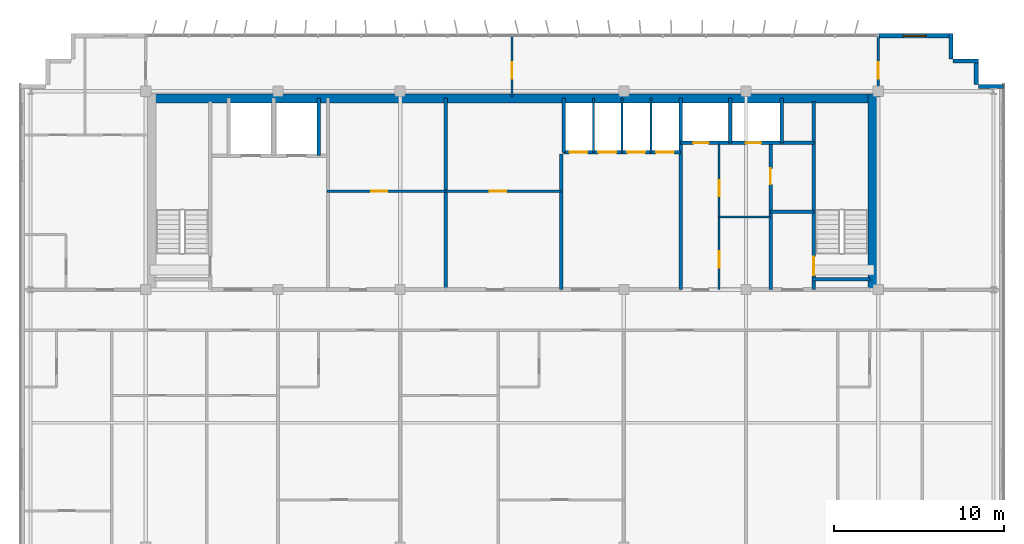
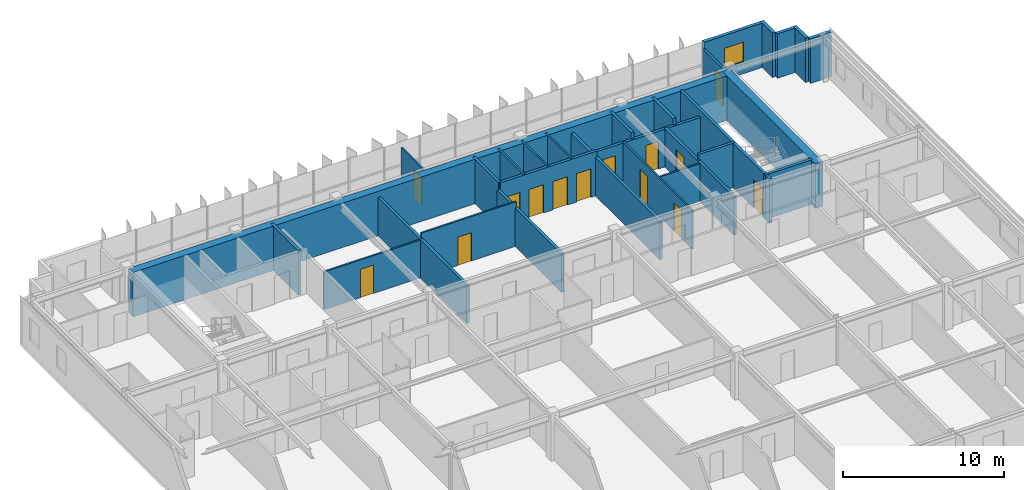
# One storey, part 20 of 23: 29 walls, 14 doors, 1 window, 15 openings.
"""IFC4 building model written with IfcOpenShell, lengths in metres."""

from ifc_helpers import new_model, si_unit, direction, frame, frame_2d, origin, place, context, subcontext, project, spatial, rectangle, extrude, source, transform, mapped, material, layer, layer_set, type_object, element, fill, save


model = new_model("IFC4")

# Units and contexts
model_context = context("Model", 3, precision=1e-05, world=origin(), true_north=direction((0.0, 1.0)))
body_context = subcontext(model_context, "Body", "Model", "MODEL_VIEW")
ifc_project = project(units=[si_unit("LENGTHUNIT", "METRE"), si_unit("AREAUNIT", "SQUARE_METRE"), si_unit("VOLUMEUNIT", "CUBIC_METRE"), si_unit("PLANEANGLEUNIT", "RADIAN"), si_unit("MASSUNIT", "GRAM", prefix="KILO")], contexts=[model_context])

# Site, building, storey
site_placement = place(None, origin())
site = spatial("IfcSite", under=ifc_project, at=site_placement, CompositionType="ELEMENT")
building_placement = place(site_placement, origin())
building = spatial("IfcBuilding", under=site, at=building_placement, Name="Trelvane Seafront Commons", CompositionType="ELEMENT")
storey_placement = place(building_placement, frame((0.0, 0.0, 266.699951171875)))
storey = spatial("IfcBuildingStorey", under=building, at=storey_placement, Name="L69", CompositionType="ELEMENT", Elevation=266.699951171875)

# Wall, opening, window
ifc_material_1 = material(Name="Precast concrete C40/50", Category="concrete")
ifc_layer_1 = layer(ifc_material_1, 0.239990234375, Name="ARCH-WALL-EXT240")
ifc_layer_set_1 = layer_set([ifc_layer_1], Name="Precast concrete C40/50")
wall_type_1 = type_object("IfcWallType", Name="ARCH-WALL-EXT240", PredefinedType="SOLIDWALL", material=ifc_layer_set_1)
wall_1_placement = place(storey_placement, frame((58.800048828125, 48.3701171875, 0.0), z_axis=(0.0, 0.0, 1.0), x_axis=(1.0, 0.0, 0.0)))
wall_1 = element("IfcWall", 1, at=wall_1_placement, inside=storey, type_object=wall_type_1, Name="EW-L69-NE-1383", PredefinedType="SOLIDWALL", context=body_context, shape_type="SweptSolid", body=[
    extrude(rectangle(XDim=4.300048828125, YDim=0.239990234375, at=frame_2d((2.14990234375, 0.0))), origin(), (0.0, 0.0, 1.0), 3.3701171875),
])
opening_1_placement = place(wall_1_placement, frame((1.47509765625, 0.0, 0.89990234375)))
opening_1 = element("IfcOpeningElement", 2, at=opening_1_placement, cuts=wall_1, Name="Opening W09", PredefinedType="OPENING", context=body_context, shape_type="SweptSolid", body=[
    extrude(rectangle(XDim=1.35009765625, YDim=1.5, at=frame_2d((0.675048828125, 0.75))), frame((0.0, 0.1298828125, 0.0), z_axis=(0.0, -1.0, 0.0), x_axis=(1.0, 0.0, 0.0)), (0.0, 0.0, 1.0), 0.260009765625),
])
ifc_material_2 = material(Name="Low-E coastal double glazing", Category="glass")
window_type = type_object("IfcWindowType", Name="ARCH-WIN-W09", PartitioningType="SINGLE_PANEL", PredefinedType="WINDOW", material=ifc_material_2)
shared_shape_1 = source(origin(), body_context, "Body", "SweptSolid", [
    extrude(rectangle(XDim=1.35009765625, YDim=1.5, at=frame_2d((0.675048828125, 0.75))), frame((0.0, 0.030029296875, 0.0), z_axis=(0.0, -1.0, 0.0), x_axis=(1.0, 0.0, 0.0)), (0.0, 0.0, 1.0), 0.06005859375),
])
window_placement = place(opening_1_placement, origin())
window = element("IfcWindow", 3, at=window_placement, inside=storey, type_object=window_type, Name="WIN-L69-01647", OverallHeight=1.5, OverallWidth=1.35009765625, PartitioningType="SINGLE_PANEL", PredefinedType="WINDOW", context=body_context, shape_type="MappedRepresentation", body=[
    mapped(shared_shape_1, transform((0.0, 0.0, 0.0), x_axis=(1.0, 0.0, 0.0), y_axis=(0.0, 1.0, 0.0), z_axis=(0.0, 0.0, 1.0), scale=1.0)),
])
fill(opening_1, window)

# Walls
for number, where, z_axis, x_axis, name in (
    (4, (63.080078125, 48.5, 0.0), (0.0, 0.0, 1.0), (0.0, -1.0, 0.0), "EW-L69-01392"),
    (5, (63.199951171875, 46.8798828125, 0.0), (0.0, 0.0, 1.0), (1.0, 0.0, 0.0), "EW-L69-01393"),
    (6, (64.580078125, 47.0, 0.0), (0.0, 0.0, 1.0), (0.0, -1.0, 0.0), "EW-L69-01394"),
    (7, (64.699951171875, 45.3798828125, 0.0), (0.0, 0.0, 1.0), (1.0, 0.0, 0.0), "EW-L69-01395"),
):
    element("IfcWall", number, at=place(storey_placement, frame(where, z_axis=z_axis, x_axis=x_axis)), inside=storey, type_object=wall_type_1, Name=name, PredefinedType="SOLIDWALL", context=body_context, shape_type="SweptSolid", body=[
        extrude(rectangle(XDim=1.5, YDim=0.239990234375, at=frame_2d((0.75, 0.0))), origin(), (0.0, 0.0, 1.0), 3.3701171875),
    ])

# Wall, opening, door
ifc_material_3 = material(Name="Concrete C40/50", Category="concrete")
ifc_layer_2 = layer(ifc_material_3, 0.199951171875, Name="ARCH-WALL-FIRE200")
ifc_layer_set_2 = layer_set([ifc_layer_2], Name="Concrete C40/50")
wall_type_2 = type_object("IfcWallType", Name="ARCH-WALL-FIRE200", PredefinedType="PARTITIONING", material=ifc_layer_set_2)
wall_2_placement = place(storey_placement, frame((52.449951171875, 33.39990234375, 0.0), z_axis=(0.0, 0.0, 1.0), x_axis=(0.0, 1.0, 0.0)))
wall_2 = element("IfcWall", 8, at=wall_2_placement, inside=storey, type_object=wall_type_2, Name="W-L69-ST2V-W-030", PredefinedType="PARTITIONING", context=body_context, shape_type="SweptSolid", body=[
    extrude(rectangle(XDim=8.650146484375, YDim=0.199951171875, at=frame_2d((4.3251953125, 0.0))), origin(), (0.0, 0.0, 1.0), 2.920166015625),
])
opening_2_placement = place(wall_2_placement, frame((6.199951171875, 0.0, 0.0)))
opening_2 = element("IfcOpeningElement", 9, at=opening_2_placement, cuts=wall_2, Name="Opening FD-L69-17", PredefinedType="OPENING", context=body_context, shape_type="SweptSolid", body=[
    extrude(rectangle(XDim=0.949951171875, YDim=2.14990234375, at=frame_2d((0.47509765625, 1.074951171875))), frame((0.0, 0.10986328125, 0.0), z_axis=(0.0, -1.0, 0.0), x_axis=(1.0, 0.0, 0.0)), (0.0, 0.0, 1.0), 0.219970703125),
])
ifc_material_4 = material(Name="Powder-coated aluminium frame", Category="aluminium")
door_type_1 = type_object("IfcDoorType", Name="ARCH-DR-FD60-950", OperationType="NOTDEFINED", PredefinedType="DOOR", material=ifc_material_4)
shared_shape_2 = source(origin(), body_context, "Body", "SweptSolid", [
    extrude(rectangle(XDim=0.949951171875, YDim=2.14990234375, at=frame_2d((0.47509765625, 1.074951171875))), frame((0.0, 0.02490234375, 0.0), z_axis=(0.0, -1.0, 0.0), x_axis=(1.0, 0.0, 0.0)), (0.0, 0.0, 1.0), 0.050048828125),
])
door_1_placement = place(opening_2_placement, origin())
door_1 = element("IfcDoor", 10, at=door_1_placement, inside=storey, type_object=door_type_1, Name="L69 Cleaner Store Door", OperationType="SINGLE_SWING_LEFT", OverallHeight=2.14990234375, OverallWidth=0.949951171875, PredefinedType="DOOR", context=body_context, shape_type="MappedRepresentation", body=[
    mapped(shared_shape_2, transform((0.0, 0.0, 0.0), x_axis=(1.0, 0.0, 0.0), y_axis=(0.0, 1.0, 0.0), z_axis=(0.0, 0.0, 1.0), scale=1.0)),
])
fill(opening_2, door_1)

# Wall
wall_3_placement = place(storey_placement, frame((52.449951171875, 38.0, 0.0), z_axis=(0.0, 0.0, 1.0), x_axis=(1.0, 0.0, 0.0)))
element("IfcWall", 11, at=wall_3_placement, inside=storey, type_object=wall_type_2, Name="W-L69-ST2V-N-031", PredefinedType="PARTITIONING", context=body_context, shape_type="SweptSolid", body=[
    extrude(rectangle(XDim=2.550048828125, YDim=0.199951171875, at=frame_2d((1.27490234375, 0.0))), origin(), (0.0, 0.0, 1.0), 3.3701171875),
])

# Wall, opening, door
ifc_material_5 = material(Name="Gypsum Drywall Acoustic Partition")
ifc_layer_3 = layer(ifc_material_5, 0.1201171875, Name="ARCH-WALL-PART120")
ifc_layer_set_3 = layer_set([ifc_layer_3], Name="Gypsum Drywall Acoustic Partition")
wall_type_3 = type_object("IfcWallType", Name="ARCH-WALL-PART120", PredefinedType="PARTITIONING", material=ifc_layer_set_3)
wall_4_placement = place(storey_placement, frame((26.300048828125, 39.199951171875, 0.0), z_axis=(0.0, 0.0, 1.0), x_axis=(1.0, 0.0, 0.0)))
wall_4 = element("IfcWall", 12, at=wall_4_placement, inside=storey, type_object=wall_type_3, Name="W-L69-FREED-PL-MID-014", PredefinedType="PARTITIONING", context=body_context, shape_type="SweptSolid", body=[
    extrude(rectangle(XDim=7.0, YDim=0.1201171875, at=frame_2d((3.5, 0.0))), origin(), (0.0, 0.0, 1.0), 2.8701171875),
])
opening_3_placement = place(wall_4_placement, frame((2.60009765625, 0.0, 0.0)))
opening_3 = element("IfcOpeningElement", 13, at=opening_3_placement, cuts=wall_4, Name="Opening D-L69-06", PredefinedType="OPENING", context=body_context, shape_type="SweptSolid", body=[
    extrude(rectangle(XDim=0.949951171875, YDim=2.14990234375, at=frame_2d((0.47509765625, 1.074951171875))), frame((0.0, 0.070068359375, 0.0), z_axis=(0.0, -1.0, 0.0), x_axis=(1.0, 0.0, 0.0)), (0.0, 0.0, 1.0), 0.14013671875),
])
ifc_material_6 = material(Name="Acoustic timber door leaf", Category="wood")
door_type_2 = type_object("IfcDoorType", Name="ARCH-DR-INT950", OperationType="NOTDEFINED", PredefinedType="DOOR", material=ifc_material_6)
door_2_placement = place(opening_3_placement, origin())
door_2 = element("IfcDoor", 14, at=door_2_placement, inside=storey, type_object=door_type_2, Name="L69 Housekeeping Store Door", OperationType="SINGLE_SWING_RIGHT", OverallHeight=2.14990234375, OverallWidth=0.949951171875, PredefinedType="DOOR", context=body_context, shape_type="MappedRepresentation", body=[
    mapped(shared_shape_2, transform((0.0, 0.0, 0.0), x_axis=(1.0, 0.0, 0.0), y_axis=(0.0, 1.0, 0.0), z_axis=(0.0, 0.0, 1.0), scale=1.0)),
])
fill(opening_3, door_2)

wall_5_placement = place(storey_placement, frame((33.300048828125, 39.199951171875, 0.0), z_axis=(0.0, 0.0, 1.0), x_axis=(1.0, 0.0, 0.0)))
wall_5 = element("IfcWall", 15, at=wall_5_placement, inside=storey, type_object=wall_type_3, Name="W-L69-FREED-PM-MID-016", PredefinedType="PARTITIONING", context=body_context, shape_type="SweptSolid", body=[
    extrude(rectangle(XDim=6.800048828125, YDim=0.1201171875, at=frame_2d((3.39990234375, 0.0))), origin(), (0.0, 0.0, 1.0), 3.3701171875),
])
opening_4_placement = place(wall_5_placement, frame((2.60009765625, 0.0, 0.0)))
opening_4 = element("IfcOpeningElement", 16, at=opening_4_placement, cuts=wall_5, Name="Opening D-L69-07", PredefinedType="OPENING", context=body_context, shape_type="SweptSolid", body=[
    extrude(rectangle(XDim=0.949951171875, YDim=2.14990234375, at=frame_2d((0.47509765625, 1.074951171875))), frame((0.0, 0.070068359375, 0.0), z_axis=(0.0, -1.0, 0.0), x_axis=(1.0, 0.0, 0.0)), (0.0, 0.0, 1.0), 0.14013671875),
])
door_3_placement = place(opening_4_placement, origin())
door_3 = element("IfcDoor", 17, at=door_3_placement, inside=storey, type_object=door_type_2, Name="L69 IT Comms Room Door", OperationType="SINGLE_SWING_LEFT", OverallHeight=2.14990234375, OverallWidth=0.949951171875, PredefinedType="DOOR", context=body_context, shape_type="MappedRepresentation", body=[
    mapped(shared_shape_2, transform((0.0, 0.0, 0.0), x_axis=(1.0, 0.0, 0.0), y_axis=(0.0, 1.0, 0.0), z_axis=(0.0, 0.0, 1.0), scale=1.0)),
])
fill(opening_4, door_3)

# Walls
for number, where, z_axis, x_axis, name in (
    (18, (42.0, 41.5, 0.0), (0.0, 0.0, 1.0), (0.0, 1.0, 0.0), "W-L69-PH-DIV1-020"),
    (19, (43.699951171875, 41.5, 0.0), (0.0, 0.0, 1.0), (0.0, 1.0, 0.0), "W-L69-PH-DIV2-021"),
    (20, (45.39990234375, 41.5, 0.0), (0.0, 0.0, 1.0), (0.0, 1.0, 0.0), "W-L69-PH-DIV3-022"),
):
    element("IfcWall", number, at=place(storey_placement, frame(where, z_axis=z_axis, x_axis=x_axis)), inside=storey, type_object=wall_type_3, Name=name, PredefinedType="PARTITIONING", context=body_context, shape_type="SweptSolid", body=[
        extrude(rectangle(XDim=3.199951171875, YDim=0.1201171875, at=frame_2d((1.60009765625, 0.0))), origin(), (0.0, 0.0, 1.0), 3.3701171875),
    ])

# Wall, openings, doors
wall_6_placement = place(storey_placement, frame((49.419921875, 33.39990234375, 0.0), z_axis=(0.0, 0.0, 1.0), x_axis=(0.0, 1.0, 0.0)))
wall_6 = element("IfcWall", 21, at=wall_6_placement, inside=storey, type_object=wall_type_3, Name="W-L69-CYC0-V-032", PredefinedType="PARTITIONING", context=body_context, shape_type="SweptSolid", body=[
    extrude(rectangle(XDim=8.60009765625, YDim=0.1201171875, at=frame_2d((4.300048828125, 0.0))), origin(), (0.0, 0.0, 1.0), 2.920166015625),
])
opening_5_placement = place(wall_6_placement, frame((1.300048828125, 0.0, 0.0)))
opening_5 = element("IfcOpeningElement", 22, at=opening_5_placement, cuts=wall_6, Name="Opening D-L69-18", PredefinedType="OPENING", context=body_context, shape_type="SweptSolid", body=[
    extrude(rectangle(XDim=0.949951171875, YDim=2.14990234375, at=frame_2d((0.47509765625, 1.074951171875))), frame((0.0, 0.070068359375, 0.0), z_axis=(0.0, -1.0, 0.0), x_axis=(1.0, 0.0, 0.0)), (0.0, 0.0, 1.0), 0.14013671875),
])
opening_6_placement = place(wall_6_placement, frame((5.5, 0.0, 0.0)))
opening_6 = element("IfcOpeningElement", 23, at=opening_6_placement, cuts=wall_6, Name="Opening D-L69-19", PredefinedType="OPENING", context=body_context, shape_type="SweptSolid", body=[
    extrude(rectangle(XDim=0.949951171875, YDim=2.14990234375, at=frame_2d((0.47509765625, 1.074951171875))), frame((0.0, 0.070068359375, 0.0), z_axis=(0.0, -1.0, 0.0), x_axis=(1.0, 0.0, 0.0)), (0.0, 0.0, 1.0), 0.14013671875),
])
door_4_placement = place(opening_5_placement, origin())
door_4 = element("IfcDoor", 24, at=door_4_placement, inside=storey, type_object=door_type_2, Name="L69 Accessible WC Door", OperationType="SINGLE_SWING_RIGHT", OverallHeight=2.14990234375, OverallWidth=0.949951171875, PredefinedType="DOOR", context=body_context, shape_type="MappedRepresentation", body=[
    mapped(shared_shape_2, transform((0.0, 0.0, 0.0), x_axis=(1.0, 0.0, 0.0), y_axis=(0.0, 1.0, 0.0), z_axis=(0.0, 0.0, 1.0), scale=1.0)),
])
fill(opening_5, door_4)
door_5_placement = place(opening_6_placement, origin())
door_5 = element("IfcDoor", 25, at=door_5_placement, inside=storey, type_object=door_type_2, Name="L69 Common WC Door", OperationType="SINGLE_SWING_LEFT", OverallHeight=2.14990234375, OverallWidth=0.949951171875, PredefinedType="DOOR", context=body_context, shape_type="MappedRepresentation", body=[
    mapped(shared_shape_2, transform((0.0, 0.0, 0.0), x_axis=(1.0, 0.0, 0.0), y_axis=(0.0, 1.0, 0.0), z_axis=(0.0, 0.0, 1.0), scale=1.0)),
])
fill(opening_6, door_5)

# Wall
wall_7_placement = place(storey_placement, frame((49.419921875, 37.679931640625, 0.0), z_axis=(0.0, 0.0, 1.0), x_axis=(1.0, 0.0, 0.0)))
element("IfcWall", 26, at=wall_7_placement, inside=storey, type_object=wall_type_3, Name="W-L69-CYC0-H-033", PredefinedType="PARTITIONING", context=body_context, shape_type="SweptSolid", body=[
    extrude(rectangle(XDim=3.030029296875, YDim=0.1201171875, at=frame_2d((1.51513671875, 0.0))), origin(), (0.0, 0.0, 1.0), 2.8701171875),
])

# Wall, opening, door
wall_8_placement = place(storey_placement, frame((37.199951171875, 44.75, 0.0), z_axis=(0.0, 0.0, 1.0), x_axis=(0.0, 1.0, 0.0)))
wall_8 = element("IfcWall", 27, at=wall_8_placement, inside=storey, type_object=wall_type_3, Name="W-L69-N-MID-DV-042", PredefinedType="PARTITIONING", context=body_context, shape_type="SweptSolid", body=[
    extrude(rectangle(XDim=3.610107421875, YDim=0.1201171875, at=frame_2d((1.80517578125, 0.0))), origin(), (0.0, 0.0, 1.0), 2.920166015625),
])
opening_7_placement = place(wall_8_placement, frame((1.10009765625, 0.0, 0.0)))
opening_7 = element("IfcOpeningElement", 28, at=opening_7_placement, cuts=wall_8, Name="Opening D-L69-27", PredefinedType="OPENING", context=body_context, shape_type="SweptSolid", body=[
    extrude(rectangle(XDim=0.949951171875, YDim=2.14990234375, at=frame_2d((0.47509765625, 1.074951171875))), frame((0.0, 0.070068359375, 0.0), z_axis=(0.0, -1.0, 0.0), x_axis=(1.0, 0.0, 0.0)), (0.0, 0.0, 1.0), 0.14013671875),
])
door_6_placement = place(opening_7_placement, origin())
door_6 = element("IfcDoor", 29, at=door_6_placement, inside=storey, type_object=door_type_2, Name="L69 Door 27", OperationType="SINGLE_SWING_LEFT", OverallHeight=2.14990234375, OverallWidth=0.949951171875, PredefinedType="DOOR", context=body_context, shape_type="MappedRepresentation", body=[
    mapped(shared_shape_2, transform((0.0, 0.0, 0.0), x_axis=(1.0, 0.0, 0.0), y_axis=(0.0, 1.0, 0.0), z_axis=(0.0, 0.0, 1.0), scale=1.0)),
])
fill(opening_7, door_6)

ifc_layer_4 = layer(ifc_material_5, 0.14990234375, Name="ARCH-WALL-PART150")
ifc_layer_set_4 = layer_set([ifc_layer_4], Name="Gypsum Drywall Acoustic Partition")
wall_type_4 = type_object("IfcWallType", Name="ARCH-WALL-PART150", PredefinedType="PARTITIONING", material=ifc_layer_set_4)
wall_9_placement = place(storey_placement, frame((58.800048828125, 44.75, 0.0), z_axis=(0.0, 0.0, 1.0), x_axis=(0.0, 1.0, 0.0)))
wall_9 = element("IfcWall", 30, at=wall_9_placement, inside=storey, type_object=wall_type_4, Name="W-L69-N-LINK-E-044", PredefinedType="PARTITIONING", context=body_context, shape_type="SweptSolid", body=[
    extrude(rectangle(XDim=3.610107421875, YDim=0.14990234375, at=frame_2d((1.80517578125, 0.0))), origin(), (0.0, 0.0, 1.0), 2.8701171875),
])
opening_8_placement = place(wall_9_placement, frame((1.10009765625, 0.0, 0.0)))
opening_8 = element("IfcOpeningElement", 31, at=opening_8_placement, cuts=wall_9, Name="Opening FD-L69-29", PredefinedType="OPENING", context=body_context, shape_type="SweptSolid", body=[
    extrude(rectangle(XDim=0.949951171875, YDim=2.14990234375, at=frame_2d((0.47509765625, 1.074951171875))), frame((0.0, 0.0849609375, 0.0), z_axis=(0.0, -1.0, 0.0), x_axis=(1.0, 0.0, 0.0)), (0.0, 0.0, 1.0), 0.169921875),
])
door_7_placement = place(opening_8_placement, origin())
door_7 = element("IfcDoor", 32, at=door_7_placement, inside=storey, type_object=door_type_1, Name="L69 Door 29", OperationType="SINGLE_SWING_LEFT", OverallHeight=2.14990234375, OverallWidth=0.949951171875, PredefinedType="DOOR", context=body_context, shape_type="MappedRepresentation", body=[
    mapped(shared_shape_2, transform((0.0, 0.0, 0.0), x_axis=(1.0, 0.0, 0.0), y_axis=(0.0, 1.0, 0.0), z_axis=(0.0, 0.0, 1.0), scale=1.0)),
])
fill(opening_8, door_7)

# Walls
ifc_layer_5 = layer(ifc_material_3, 0.199951171875, Name="ARCH-WALL-SHAFT200")
ifc_layer_set_5 = layer_set([ifc_layer_5], Name="Concrete C40/50")
wall_type_5 = type_object("IfcWallType", Name="ARCH-WALL-SHAFT200", PredefinedType="SOLIDWALL", material=ifc_layer_set_5)
wall_10_placement = place(storey_placement, frame((25.800048828125, 41.300048828125, 0.0), z_axis=(0.0, 0.0, 1.0), x_axis=(0.0, 1.0, 0.0)))
element("IfcWall", 33, at=wall_10_placement, inside=storey, type_object=wall_type_5, Name="W-L69-FFL-SH-E-011", PredefinedType="SOLIDWALL", context=body_context, shape_type="SweptSolid", body=[
    extrude(rectangle(XDim=3.39990234375, YDim=0.199951171875, at=frame_2d((1.699951171875, 0.0))), origin(), (0.0, 0.0, 1.0), 3.3701171875),
])
wall_11_placement = place(storey_placement, frame((33.300048828125, 33.39990234375, 0.0), z_axis=(0.0, 0.0, 1.0), x_axis=(0.0, 1.0, 0.0)))
element("IfcWall", 34, at=wall_11_placement, inside=storey, type_object=wall_type_5, Name="W-L69-FREED-PL-E-015", PredefinedType="SOLIDWALL", context=body_context, shape_type="SweptSolid", body=[
    extrude(rectangle(XDim=11.300048828125, YDim=0.199951171875, at=frame_2d((5.64990234375, 0.0))), origin(), (0.0, 0.0, 1.0), 2.920166015625),
])
wall_12_placement = place(storey_placement, frame((40.10009765625, 33.39990234375, 0.0), z_axis=(0.0, 0.0, 1.0), x_axis=(0.0, 1.0, 0.0)))
element("IfcWall", 35, at=wall_12_placement, inside=storey, type_object=wall_type_5, Name="W-L69-FREED-PM-E-017", PredefinedType="SOLIDWALL", context=body_context, shape_type="SweptSolid", body=[
    extrude(rectangle(XDim=8.0, YDim=0.199951171875, at=frame_2d((4.0, 0.0))), origin(), (0.0, 0.0, 1.0), 2.920166015625),
])

# Wall, openings, doors
wall_13_placement = place(storey_placement, frame((40.25, 41.5, 0.0), z_axis=(0.0, 0.0, 1.0), x_axis=(1.0, 0.0, 0.0)))
wall_13 = element("IfcWall", 36, at=wall_13_placement, inside=storey, type_object=wall_type_5, Name="W-L69-PH-FRONT-018", PredefinedType="SOLIDWALL", context=body_context, shape_type="SweptSolid", body=[
    extrude(rectangle(XDim=6.89990234375, YDim=0.199951171875, at=frame_2d((3.449951171875, 0.0))), origin(), (0.0, 0.0, 1.0), 3.3701171875),
])
opening_9_placement = place(wall_13_placement, frame((0.35009765625, 0.0, 0.0)))
opening_9 = element("IfcOpeningElement", 37, at=opening_9_placement, cuts=wall_13, Name="Opening LD-PH1-L69", PredefinedType="OPENING", context=body_context, shape_type="SweptSolid", body=[
    extrude(rectangle(XDim=1.050048828125, YDim=2.14990234375, at=frame_2d((0.52490234375, 1.074951171875))), frame((0.0, 0.10986328125, 0.0), z_axis=(0.0, -1.0, 0.0), x_axis=(1.0, 0.0, 0.0)), (0.0, 0.0, 1.0), 0.219970703125),
])
opening_10_placement = place(wall_13_placement, frame((2.050048828125, 0.0, 0.0)))
opening_10 = element("IfcOpeningElement", 38, at=opening_10_placement, cuts=wall_13, Name="Opening LD-PH2-L69", PredefinedType="OPENING", context=body_context, shape_type="SweptSolid", body=[
    extrude(rectangle(XDim=1.050048828125, YDim=2.14990234375, at=frame_2d((0.52490234375, 1.074951171875))), frame((0.0, 0.10986328125, 0.0), z_axis=(0.0, -1.0, 0.0), x_axis=(1.0, 0.0, 0.0)), (0.0, 0.0, 1.0), 0.219970703125),
])
opening_11_placement = place(wall_13_placement, frame((3.75, 0.0, 0.0)))
opening_11 = element("IfcOpeningElement", 39, at=opening_11_placement, cuts=wall_13, Name="Opening LD-PH3-L69", PredefinedType="OPENING", context=body_context, shape_type="SweptSolid", body=[
    extrude(rectangle(XDim=1.050048828125, YDim=2.14990234375, at=frame_2d((0.52490234375, 1.074951171875))), frame((0.0, 0.10986328125, 0.0), z_axis=(0.0, -1.0, 0.0), x_axis=(1.0, 0.0, 0.0)), (0.0, 0.0, 1.0), 0.219970703125),
])
opening_12_placement = place(wall_13_placement, frame((5.449951171875, 0.0, 0.0)))
opening_12 = element("IfcOpeningElement", 40, at=opening_12_placement, cuts=wall_13, Name="Opening LD-PH4-L69", PredefinedType="OPENING", context=body_context, shape_type="SweptSolid", body=[
    extrude(rectangle(XDim=1.050048828125, YDim=2.14990234375, at=frame_2d((0.52490234375, 1.074951171875))), frame((0.0, 0.10986328125, 0.0), z_axis=(0.0, -1.0, 0.0), x_axis=(1.0, 0.0, 0.0)), (0.0, 0.0, 1.0), 0.219970703125),
])
ifc_material_7 = material(Name="Stainless steel balustrade", Category="steel")
door_type_3 = type_object("IfcDoorType", Name="ARCH-DR-LD1050", OperationType="DOUBLE_DOOR_SLIDING", PredefinedType="DOOR", material=ifc_material_7)
shared_shape_3 = source(origin(), body_context, "Body", "SweptSolid", [
    extrude(rectangle(XDim=1.050048828125, YDim=2.14990234375, at=frame_2d((0.52490234375, 1.074951171875))), frame((0.0, 0.02490234375, 0.0), z_axis=(0.0, -1.0, 0.0), x_axis=(1.0, 0.0, 0.0)), (0.0, 0.0, 1.0), 0.050048828125),
])
door_8_placement = place(opening_9_placement, origin())
door_8 = element("IfcDoor", 41, at=door_8_placement, inside=storey, type_object=door_type_3, Name="L69 Passenger Lift PH-1 Landing Door", OperationType="DOUBLE_DOOR_SLIDING", OverallHeight=2.14990234375, OverallWidth=1.050048828125, PredefinedType="DOOR", context=body_context, shape_type="MappedRepresentation", body=[
    mapped(shared_shape_3, transform((0.0, 0.0, 0.0), x_axis=(1.0, 0.0, 0.0), y_axis=(0.0, 1.0, 0.0), z_axis=(0.0, 0.0, 1.0), scale=1.0)),
])
fill(opening_9, door_8)
door_9_placement = place(opening_10_placement, origin())
door_9 = element("IfcDoor", 42, at=door_9_placement, inside=storey, type_object=door_type_3, Name="L69 Passenger Lift PH-2 Landing Door", OperationType="DOUBLE_DOOR_SLIDING", OverallHeight=2.14990234375, OverallWidth=1.050048828125, PredefinedType="DOOR", context=body_context, shape_type="MappedRepresentation", body=[
    mapped(shared_shape_3, transform((0.0, 0.0, 0.0), x_axis=(1.0, 0.0, 0.0), y_axis=(0.0, 1.0, 0.0), z_axis=(0.0, 0.0, 1.0), scale=1.0)),
])
fill(opening_10, door_9)
door_10_placement = place(opening_11_placement, origin())
door_10 = element("IfcDoor", 43, at=door_10_placement, inside=storey, type_object=door_type_3, Name="L69 Passenger Lift PH-3 Landing Door", OperationType="DOUBLE_DOOR_SLIDING", OverallHeight=2.14990234375, OverallWidth=1.050048828125, PredefinedType="DOOR", context=body_context, shape_type="MappedRepresentation", body=[
    mapped(shared_shape_3, transform((0.0, 0.0, 0.0), x_axis=(1.0, 0.0, 0.0), y_axis=(0.0, 1.0, 0.0), z_axis=(0.0, 0.0, 1.0), scale=1.0)),
])
fill(opening_11, door_10)
door_11_placement = place(opening_12_placement, origin())
door_11 = element("IfcDoor", 44, at=door_11_placement, inside=storey, type_object=door_type_3, Name="L69 Passenger Lift PH-4 Landing Door", OperationType="DOUBLE_DOOR_SLIDING", OverallHeight=2.14990234375, OverallWidth=1.050048828125, PredefinedType="DOOR", context=body_context, shape_type="MappedRepresentation", body=[
    mapped(shared_shape_3, transform((0.0, 0.0, 0.0), x_axis=(1.0, 0.0, 0.0), y_axis=(0.0, 1.0, 0.0), z_axis=(0.0, 0.0, 1.0), scale=1.0)),
])
fill(opening_12, door_11)

# Walls
wall_14_placement = place(storey_placement, frame((40.25, 41.5, 0.0), z_axis=(0.0, 0.0, 1.0), x_axis=(0.0, 1.0, 0.0)))
element("IfcWall", 45, at=wall_14_placement, inside=storey, type_object=wall_type_5, Name="W-L69-PH-WEST-SH-019", PredefinedType="SOLIDWALL", context=body_context, shape_type="SweptSolid", body=[
    extrude(rectangle(XDim=3.199951171875, YDim=0.199951171875, at=frame_2d((1.60009765625, 0.0))), origin(), (0.0, 0.0, 1.0), 3.3701171875),
])
wall_15_placement = place(storey_placement, frame((47.14990234375, 33.39990234375, 0.0), z_axis=(0.0, 0.0, 1.0), x_axis=(0.0, 1.0, 0.0)))
element("IfcWall", 46, at=wall_15_placement, inside=storey, type_object=wall_type_5, Name="W-L69-PH-EAST-023", PredefinedType="SOLIDWALL", context=body_context, shape_type="SweptSolid", body=[
    extrude(rectangle(XDim=11.300048828125, YDim=0.199951171875, at=frame_2d((5.64990234375, 0.0))), origin(), (0.0, 0.0, 1.0), 2.920166015625),
])

# Wall, openings, doors
wall_16_placement = place(storey_placement, frame((47.14990234375, 42.050048828125, 0.0), z_axis=(0.0, 0.0, 1.0), x_axis=(1.0, 0.0, 0.0)))
wall_16 = element("IfcWall", 47, at=wall_16_placement, inside=storey, type_object=wall_type_5, Name="W-L69-RSR-S-027", PredefinedType="SOLIDWALL", context=body_context, shape_type="SweptSolid", body=[
    extrude(rectangle(XDim=7.85009765625, YDim=0.199951171875, at=frame_2d((3.925048828125, 0.0))), origin(), (0.0, 0.0, 1.0), 2.8701171875),
])
opening_13_placement = place(wall_16_placement, frame((0.75, 0.0, 0.0)))
opening_13 = element("IfcOpeningElement", 48, at=opening_13_placement, cuts=wall_16, Name="Opening FD-L69-15", PredefinedType="OPENING", context=body_context, shape_type="SweptSolid", body=[
    extrude(rectangle(XDim=0.89990234375, YDim=2.10009765625, at=frame_2d((0.449951171875, 1.050048828125))), frame((0.0, 0.10986328125, 0.0), z_axis=(0.0, -1.0, 0.0), x_axis=(1.0, 0.0, 0.0)), (0.0, 0.0, 1.0), 0.219970703125),
])
opening_14_placement = place(wall_16_placement, frame((3.85009765625, 0.0, 0.0)))
opening_14 = element("IfcOpeningElement", 49, at=opening_14_placement, cuts=wall_16, Name="Opening FD-L69-16", PredefinedType="OPENING", context=body_context, shape_type="SweptSolid", body=[
    extrude(rectangle(XDim=0.89990234375, YDim=2.10009765625, at=frame_2d((0.449951171875, 1.050048828125))), frame((0.0, 0.10986328125, 0.0), z_axis=(0.0, -1.0, 0.0), x_axis=(1.0, 0.0, 0.0)), (0.0, 0.0, 1.0), 0.219970703125),
])
door_type_4 = type_object("IfcDoorType", Name="ARCH-DR-FD60-900", OperationType="NOTDEFINED", PredefinedType="DOOR", material=ifc_material_4)
shared_shape_4 = source(origin(), body_context, "Body", "SweptSolid", [
    extrude(rectangle(XDim=0.89990234375, YDim=2.10009765625, at=frame_2d((0.449951171875, 1.050048828125))), frame((0.0, 0.02490234375, 0.0), z_axis=(0.0, -1.0, 0.0), x_axis=(1.0, 0.0, 0.0)), (0.0, 0.0, 1.0), 0.050048828125),
])
door_12_placement = place(opening_13_placement, origin())
door_12 = element("IfcDoor", 50, at=door_12_placement, inside=storey, type_object=door_type_4, Name="L69 Electrical Riser Access Door", OperationType="SINGLE_SWING_LEFT", OverallHeight=2.10009765625, OverallWidth=0.89990234375, PredefinedType="DOOR", context=body_context, shape_type="MappedRepresentation", body=[
    mapped(shared_shape_4, transform((0.0, 0.0, 0.0), x_axis=(1.0, 0.0, 0.0), y_axis=(0.0, 1.0, 0.0), z_axis=(0.0, 0.0, 1.0), scale=1.0)),
])
fill(opening_13, door_12)
door_13_placement = place(opening_14_placement, origin())
door_13 = element("IfcDoor", 51, at=door_13_placement, inside=storey, type_object=door_type_4, Name="L69 Mechanical Riser Access Door", OperationType="SINGLE_SWING_RIGHT", OverallHeight=2.10009765625, OverallWidth=0.89990234375, PredefinedType="DOOR", context=body_context, shape_type="MappedRepresentation", body=[
    mapped(shared_shape_4, transform((0.0, 0.0, 0.0), x_axis=(1.0, 0.0, 0.0), y_axis=(0.0, 1.0, 0.0), z_axis=(0.0, 0.0, 1.0), scale=1.0)),
])
fill(opening_14, door_13)

# Walls
for number, where, z_axis, x_axis, name in (
    (52, (50.080078125, 42.050048828125, 0.0), (0.0, 0.0, 1.0), (0.0, 1.0, 0.0), "W-L69-RSR-DIV-028"),
    (53, (53.10009765625, 42.050048828125, 0.0), (0.0, 0.0, 1.0), (0.0, 1.0, 0.0), "W-L69-RSR-E-029"),
):
    element("IfcWall", number, at=place(storey_placement, frame(where, z_axis=z_axis, x_axis=x_axis)), inside=storey, type_object=wall_type_5, Name=name, PredefinedType="SOLIDWALL", context=body_context, shape_type="SweptSolid", body=[
        extrude(rectangle(XDim=2.64990234375, YDim=0.199951171875, at=frame_2d((1.324951171875, 0.0))), origin(), (0.0, 0.0, 1.0), 3.3701171875),
    ])
ifc_material_8 = material(Name="Concrete C50/60", Category="concrete")
ifc_layer_6 = layer(ifc_material_8, 0.550048828125, Name="STR-WALL-CORE550")
ifc_layer_set_6 = layer_set([ifc_layer_6], Name="Concrete C50/60")
wall_type_6 = type_object("IfcWallType", Name="STR-WALL-CORE550", PredefinedType="SHEAR", material=ifc_layer_set_6)
wall_17_placement = place(storey_placement, frame((15.64990234375, 44.675048828125, 0.0), z_axis=(0.0, 0.0, 1.0), x_axis=(1.0, 0.0, 0.0)))
element("IfcWall", 54, at=wall_17_placement, inside=storey, type_object=wall_type_6, Name="W-L69-CN-ALL-001", PredefinedType="SHEAR", context=body_context, shape_type="SweptSolid", body=[
    extrude(rectangle(XDim=43.10009765625, YDim=0.550048828125, at=frame_2d((21.550048828125, 0.0))), origin(), (0.0, 0.0, 1.0), 3.3701171875),
])
wall_18_placement = place(storey_placement, frame((58.47509765625, 33.39990234375, 0.0), z_axis=(0.0, 0.0, 1.0), x_axis=(0.0, 1.0, 0.0)))
element("IfcWall", 55, at=wall_18_placement, inside=storey, type_object=wall_type_6, Name="W-L69-CE-END-003", PredefinedType="SHEAR", context=body_context, shape_type="SweptSolid", body=[
    extrude(rectangle(XDim=11.550048828125, YDim=0.550048828125, at=frame_2d((5.77490234375, 0.0))), origin(), (0.0, 0.0, 1.0), 3.3701171875),
])
ifc_layer_7 = layer(ifc_material_8, 0.199951171875, Name="STR-WALL-STAIR200")
ifc_layer_set_7 = layer_set([ifc_layer_7], Name="Concrete C50/60")
wall_type_7 = type_object("IfcWallType", Name="STR-WALL-STAIR200", PredefinedType="SHEAR", material=ifc_layer_set_7)
wall_19_placement = place(storey_placement, frame((54.89990234375, 34.0, 0.0), z_axis=(0.0, 0.0, 1.0), x_axis=(1.0, 0.0, 0.0)))
element("IfcWall", 56, at=wall_19_placement, inside=storey, type_object=wall_type_7, Name="W-L69-ST2-S-006", PredefinedType="SHEAR", context=body_context, shape_type="SweptSolid", body=[
    extrude(rectangle(XDim=3.400146484375, YDim=0.199951171875, at=frame_2d((1.7001953125, 0.0))), origin(), (0.0, 0.0, 1.0), 3.3701171875),
])

# Wall, opening, door
wall_20_placement = place(storey_placement, frame((55.0, 33.39990234375, 0.0), z_axis=(0.0, 0.0, 1.0), x_axis=(0.0, 1.0, 0.0)))
wall_20 = element("IfcWall", 57, at=wall_20_placement, inside=storey, type_object=wall_type_7, Name="W-L69-ST2-W-007", PredefinedType="SHEAR", context=body_context, shape_type="SweptSolid", body=[
    extrude(rectangle(XDim=11.10009765625, YDim=0.199951171875, at=frame_2d((5.550048828125, 0.0))), origin(), (0.0, 0.0, 1.0), 3.3701171875),
])
opening_15_placement = place(wall_20_placement, frame((0.85009765625, 0.0, 0.0)))
opening_15 = element("IfcOpeningElement", 58, at=opening_15_placement, cuts=wall_20, Name="Opening ST-D2-L69", PredefinedType="OPENING", context=body_context, shape_type="SweptSolid", body=[
    extrude(rectangle(XDim=1.10009765625, YDim=2.14990234375, at=frame_2d((0.550048828125, 1.074951171875))), frame((0.0, 0.10986328125, 0.0), z_axis=(0.0, -1.0, 0.0), x_axis=(1.0, 0.0, 0.0)), (0.0, 0.0, 1.0), 0.219970703125),
])
door_type_5 = type_object("IfcDoorType", Name="ARCH-DR-FD90-1100", OperationType="NOTDEFINED", PredefinedType="DOOR", material=ifc_material_4)
shared_shape_5 = source(origin(), body_context, "Body", "SweptSolid", [
    extrude(rectangle(XDim=1.10009765625, YDim=2.14990234375, at=frame_2d((0.550048828125, 1.074951171875))), frame((0.0, 0.02490234375, 0.0), z_axis=(0.0, -1.0, 0.0), x_axis=(1.0, 0.0, 0.0)), (0.0, 0.0, 1.0), 0.050048828125),
])
door_14_placement = place(opening_15_placement, origin())
door_14 = element("IfcDoor", 59, at=door_14_placement, inside=storey, type_object=door_type_5, Name="L69 Stair ST-2 Vestibule Fire Door", OperationType="SINGLE_SWING_RIGHT", OverallHeight=2.14990234375, OverallWidth=1.10009765625, PredefinedType="DOOR", context=body_context, shape_type="MappedRepresentation", body=[
    mapped(shared_shape_5, transform((0.0, 0.0, 0.0), x_axis=(1.0, 0.0, 0.0), y_axis=(0.0, 1.0, 0.0), z_axis=(0.0, 0.0, 1.0), scale=1.0)),
])
fill(opening_15, door_14)

save(model, "model.ifc")
